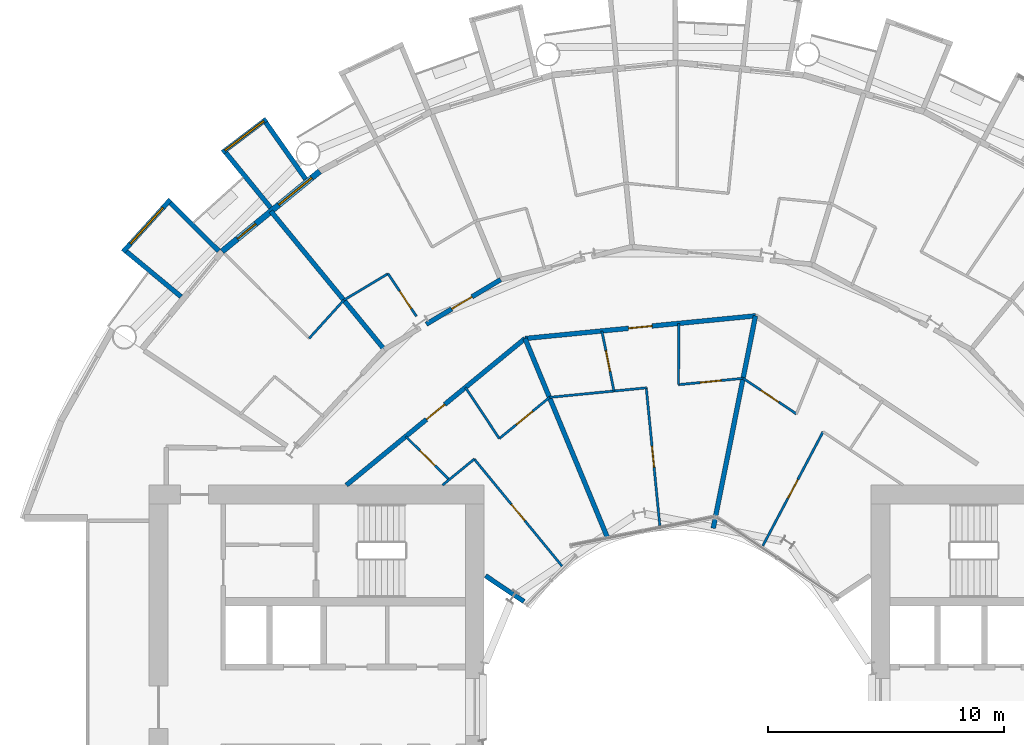
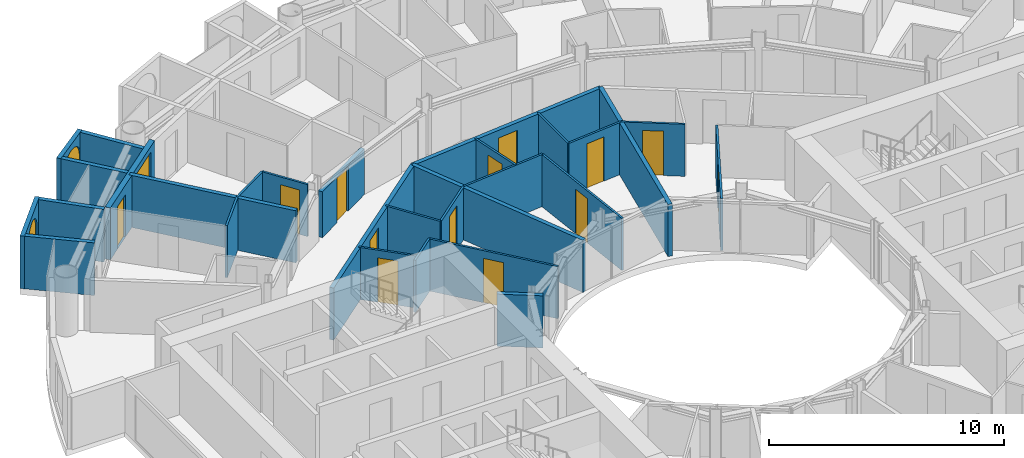
# One storey, part 19 of 26: 29 walls, 13 doors, 3 windows, 16 openings.
"""IFC4 building model written with IfcOpenShell, lengths in metres."""

from ifc_helpers import new_model, si_unit, direction, frame, frame_2d, origin, place, context, subcontext, project, spatial, rectangle, circle, extrude, material, layer, layer_set, type_object, element, fill, save


model = new_model("IFC4")

# Units and contexts
model_context = context("Model", 3, precision=1e-05, world=origin(), true_north=direction((0.0, 1.0)))
body_context = subcontext(model_context, "Body", "Model", "MODEL_VIEW")
ifc_project = project(units=[si_unit("LENGTHUNIT", "METRE"), si_unit("AREAUNIT", "SQUARE_METRE"), si_unit("VOLUMEUNIT", "CUBIC_METRE"), si_unit("PLANEANGLEUNIT", "RADIAN"), si_unit("MASSUNIT", "GRAM", prefix="KILO")], contexts=[model_context])

# Site, building, storey
site_placement = place(None, origin())
site = spatial("IfcSite", under=ifc_project, at=site_placement, CompositionType="ELEMENT")
building_placement = place(site_placement, origin())
building = spatial("IfcBuilding", under=site, at=building_placement, Name="Maasbend Ring Residences", CompositionType="ELEMENT")
storey_placement = place(building_placement, frame((0.0, 0.0, 25.85009765625)))
storey = spatial("IfcBuildingStorey", under=building, at=storey_placement, Name="L06", CompositionType="ELEMENT", Elevation=25.85009765625)

# Wall, opening, door
ifc_material_1 = material(Name="Concrete C30/37", Category="concrete")
ifc_layer_1 = layer(ifc_material_1, 0.199951171875)
ifc_layer_set_1 = layer_set([ifc_layer_1], Name="Concrete C30/37")
wall_type_1 = type_object("IfcWallType", Name="CORRIDOR WALL 200 CONCRETE", PredefinedType="PARTITIONING", material=ifc_layer_set_1)
wall_1_placement = place(storey_placement, frame((-14.0390625, 9.39990234375, 0.0), z_axis=(0.0, 0.0, 1.0), x_axis=(0.77298340166, 0.634426245326, 0.0)))
wall_1 = element("IfcWall", 1, at=wall_1_placement, inside=storey, type_object=wall_type_1, Name="U-L06-w107", PredefinedType="PARTITIONING", context=body_context, shape_type="SweptSolid", body=[
    extrude(rectangle(XDim=9.793212890625, YDim=0.199951171875, at=frame_2d((4.896484375, 0.0))), origin(), (0.0, 0.0, 1.0), 2.699951171875),
])
opening_1_placement = place(wall_1_placement, frame((4.388916015625, 0.0, 0.0)))
opening_1 = element("IfcOpeningElement", 2, at=opening_1_placement, cuts=wall_1, Name="Opening D-0629", PredefinedType="OPENING", context=body_context, shape_type="SweptSolid", body=[
    extrude(rectangle(XDim=1.0, YDim=2.300048828125, at=frame_2d((0.5, 1.14990234375))), frame((0.0, 0.10986328125, 0.0), z_axis=(0.0, -1.0, 0.0), x_axis=(1.0, 0.0, 0.0)), (0.0, 0.0, 1.0), 0.219970703125),
])
ifc_material_2 = material(Name="Timber, fire-rated, painted", Category="wood")
door_type_1 = type_object("IfcDoorType", Name="FLAT ENTRANCE DOOR 1000 X 2300 FIRE-RATED", OperationType="NOTDEFINED", PredefinedType="DOOR", material=ifc_material_2)
door_1_placement = place(opening_1_placement, origin())
door_1 = element("IfcDoor", 3, at=door_1_placement, inside=storey, type_object=door_type_1, Name="D-0629", OperationType="SINGLE_SWING_LEFT", OverallHeight=2.300048828125, OverallWidth=1.0, PredefinedType="DOOR", context=body_context, shape_type="SweptSolid", body=[
    extrude(rectangle(XDim=1.0, YDim=2.300048828125, at=frame_2d((0.5, 1.14990234375))), frame((0.0, 0.02490234375, 0.0), z_axis=(0.0, -1.0, 0.0), x_axis=(1.0, 0.0, 0.0)), (0.0, 0.0, 1.0), 0.050048828125),
])
fill(opening_1, door_1)

wall_2_placement = place(storey_placement, frame((-6.467041015625, 15.614013671875, 0.0), z_axis=(0.0, 0.0, 1.0), x_axis=(0.995201860711, 0.097843019361, 0.0)))
wall_2 = element("IfcWall", 4, at=wall_2_placement, inside=storey, type_object=wall_type_1, Name="U-L06-w108", PredefinedType="PARTITIONING", context=body_context, shape_type="SweptSolid", body=[
    extrude(rectangle(XDim=9.811279296875, YDim=0.199951171875, at=frame_2d((4.90576171875, 0.0))), origin(), (0.0, 0.0, 1.0), 2.699951171875),
])
opening_2_placement = place(wall_2_placement, frame((4.405029296875, 0.0, 0.0)))
opening_2 = element("IfcOpeningElement", 5, at=opening_2_placement, cuts=wall_2, Name="Opening D-0625", PredefinedType="OPENING", context=body_context, shape_type="SweptSolid", body=[
    extrude(rectangle(XDim=1.0, YDim=2.300048828125, at=frame_2d((0.5, 1.14990234375))), frame((0.0, 0.10986328125, 0.0), z_axis=(0.0, -1.0, 0.0), x_axis=(1.0, 0.0, 0.0)), (0.0, 0.0, 1.0), 0.219970703125),
])
door_2_placement = place(opening_2_placement, origin())
door_2 = element("IfcDoor", 6, at=door_2_placement, inside=storey, type_object=door_type_1, Name="D-0625", OperationType="SINGLE_SWING_LEFT", OverallHeight=2.300048828125, OverallWidth=1.0, PredefinedType="DOOR", context=body_context, shape_type="SweptSolid", body=[
    extrude(rectangle(XDim=1.0, YDim=2.300048828125, at=frame_2d((0.5, 1.14990234375))), frame((0.0, 0.02490234375, 0.0), z_axis=(0.0, -1.0, 0.0), x_axis=(1.0, 0.0, 0.0)), (0.0, 0.0, 1.0), 0.050048828125),
])
fill(opening_2, door_2)

wall_3_placement = place(storey_placement, frame((-10.653076171875, 16.218017578125, 0.0), z_axis=(0.0, 0.0, 1.0), x_axis=(0.857656999296, 0.514222200569, 0.0)))
wall_3 = element("IfcWall", 7, at=wall_3_placement, inside=storey, type_object=wall_type_1, Name="U-L06-w115", PredefinedType="PARTITIONING", context=body_context, shape_type="SweptSolid", body=[
    extrude(rectangle(XDim=3.67529296875, YDim=0.199951171875, at=frame_2d((1.837646484375, 0.0))), origin(), (0.0, 0.0, 1.0), 2.3798828125),
])
opening_3_placement = place(wall_3_placement, frame((1.257080078125, 0.0, 0.0)))
opening_3 = element("IfcOpeningElement", 8, at=opening_3_placement, cuts=wall_3, Name="Opening D-0615", PredefinedType="OPENING", context=body_context, shape_type="SweptSolid", body=[
    extrude(rectangle(XDim=1.0, YDim=2.300048828125, at=frame_2d((0.5, 1.14990234375))), frame((0.0, 0.10986328125, 0.0), z_axis=(0.0, -1.0, 0.0), x_axis=(1.0, 0.0, 0.0)), (0.0, 0.0, 1.0), 0.219970703125),
])
door_3_placement = place(opening_3_placement, origin())
door_3 = element("IfcDoor", 9, at=door_3_placement, inside=storey, type_object=door_type_1, Name="D-0615", OperationType="SINGLE_SWING_LEFT", OverallHeight=2.300048828125, OverallWidth=1.0, PredefinedType="DOOR", context=body_context, shape_type="SweptSolid", body=[
    extrude(rectangle(XDim=1.0, YDim=2.300048828125, at=frame_2d((0.5, 1.14990234375))), frame((0.0, 0.02490234375, 0.0), z_axis=(0.0, -1.0, 0.0), x_axis=(1.0, 0.0, 0.0)), (0.0, 0.0, 1.0), 0.050048828125),
])
fill(opening_3, door_3)

# Wall, opening, window
ifc_material_3 = material(Name="Pale anodised aluminium panel", Category="aluminium")
ifc_layer_2 = layer(ifc_material_3, 0.199951171875)
ifc_layer_set_2 = layer_set([ifc_layer_2], Name="EW-BOX")
wall_type_2 = type_object("IfcWallType", Name="EW-BOX", PredefinedType="SOLIDWALL", material=ifc_layer_set_2)
wall_4_placement = place(storey_placement, frame((-17.427001953125, 24.908935546875, -0.030029296875), z_axis=(0.0, 0.0, 1.0), x_axis=(-0.796842165306, -0.60418752353, 0.0)))
wall_4 = element("IfcWall", 10, at=wall_4_placement, inside=storey, type_object=wall_type_2, Name="Box front N17", PredefinedType="SOLIDWALL", context=body_context, shape_type="SweptSolid", body=[
    extrude(rectangle(XDim=2.3369140625, YDim=0.199951171875, at=frame_2d((1.16845703125, 0.0))), origin(), (0.0, 0.0, 1.0), 2.72998046875),
])
opening_4_placement = place(wall_4_placement, frame((0.128173828125, 0.0, 0.330078125)))
opening_4 = element("IfcOpeningElement", 11, at=opening_4_placement, cuts=wall_4, Name="Opening W-RD", PredefinedType="OPENING", context=body_context, shape_type="SweptSolid", body=[
    extrude(circle(Radius=1.0400390625, at=frame_2d((1.0400390625, 1.0400390625))), frame((0.0, 0.10986328125, 0.0), z_axis=(0.0, -1.0, 0.0), x_axis=(1.0, 0.0, 0.0)), (0.0, 0.0, 1.0), 0.219970703125),
])
ifc_material_4 = material(Name="Aluminium and clear glass", Category="aluminium")
window_type_1 = type_object("IfcWindowType", Name="W-RD", PartitioningType="SINGLE_PANEL", PredefinedType="WINDOW", material=ifc_material_4)
window_1_placement = place(opening_4_placement, origin())
window_1 = element("IfcWindow", 12, at=window_1_placement, inside=storey, type_object=window_type_1, Name="Round window N17", OverallHeight=2.080078125, OverallWidth=2.080078125, PartitioningType="SINGLE_PANEL", PredefinedType="WINDOW", context=body_context, shape_type="SweptSolid", body=[
    extrude(circle(Radius=1.0400390625, at=frame_2d((1.0400390625, 1.0400390625))), frame((0.0, 0.030029296875, 0.0), z_axis=(0.0, -1.0, 0.0), x_axis=(1.0, 0.0, 0.0)), (0.0, 0.0, 1.0), 0.06005859375),
])
fill(opening_4, window_1)

# Walls
wall_5_placement = place(storey_placement, frame((-15.764892578125, 22.3701171875, -0.030029296875), z_axis=(0.0, 0.0, 1.0), x_axis=(-0.576274612209, 0.817256123454, 0.0)))
element("IfcWall", 13, at=wall_5_placement, inside=storey, type_object=wall_type_2, Name="Box side wall N17 left", PredefinedType="SOLIDWALL", context=body_context, shape_type="SweptSolid", body=[
    extrude(rectangle(XDim=2.932861328125, YDim=0.199951171875, at=frame_2d((1.46630859375, 0.0))), origin(), (0.0, 0.0, 1.0), 2.72998046875),
])
wall_6_placement = place(storey_placement, frame((-17.24609375, 21.155029296875, -0.030029296875), z_axis=(0.0, 0.0, 1.0), x_axis=(-0.631741648902, 0.775179004516, 0.0)))
element("IfcWall", 14, at=wall_6_placement, inside=storey, type_object=wall_type_2, Name="Box side wall N17 right", PredefinedType="SOLIDWALL", context=body_context, shape_type="SweptSolid", body=[
    extrude(rectangle(XDim=3.005859375, YDim=0.199951171875, at=frame_2d((1.5029296875, 0.0))), origin(), (0.0, 0.0, 1.0), 2.72998046875),
])

# Wall, opening, window
wall_7_placement = place(storey_placement, frame((-21.492919921875, 21.5, -0.030029296875), z_axis=(0.0, 0.0, 1.0), x_axis=(-0.671506829416, -0.740998365753, 0.0)))
wall_7 = element("IfcWall", 15, at=wall_7_placement, inside=storey, type_object=wall_type_2, Name="Box front N19", PredefinedType="SOLIDWALL", context=body_context, shape_type="SweptSolid", body=[
    extrude(rectangle(XDim=2.9931640625, YDim=0.199951171875, at=frame_2d((1.49658203125, 0.0))), origin(), (0.0, 0.0, 1.0), 2.72998046875),
])
opening_5_placement = place(wall_7_placement, frame((0.45654296875, 0.0, 0.330078125)))
opening_5 = element("IfcOpeningElement", 16, at=opening_5_placement, cuts=wall_7, Name="Opening W-RD", PredefinedType="OPENING", context=body_context, shape_type="SweptSolid", body=[
    extrude(circle(Radius=1.0400390625, at=frame_2d((1.0400390625, 1.0400390625))), frame((0.0, 0.10986328125, 0.0), z_axis=(0.0, -1.0, 0.0), x_axis=(1.0, 0.0, 0.0)), (0.0, 0.0, 1.0), 0.219970703125),
])
window_2_placement = place(opening_5_placement, origin())
window_2 = element("IfcWindow", 17, at=window_2_placement, inside=storey, type_object=window_type_1, Name="Round window N19", OverallHeight=2.080078125, OverallWidth=2.080078125, PartitioningType="SINGLE_PANEL", PredefinedType="WINDOW", context=body_context, shape_type="SweptSolid", body=[
    extrude(circle(Radius=1.0400390625, at=frame_2d((1.0400390625, 1.0400390625))), frame((0.0, 0.030029296875, 0.0), z_axis=(0.0, -1.0, 0.0), x_axis=(1.0, 0.0, 0.0)), (0.0, 0.0, 1.0), 0.06005859375),
])
fill(opening_5, window_2)

# Walls
wall_8_placement = place(storey_placement, frame((-19.449951171875, 19.322998046875, -0.030029296875), z_axis=(0.0, 0.0, 1.0), x_axis=(-0.709727076896, 0.704476739375, 0.0)))
element("IfcWall", 18, at=wall_8_placement, inside=storey, type_object=wall_type_2, Name="Box side wall N19 left", PredefinedType="SOLIDWALL", context=body_context, shape_type="SweptSolid", body=[
    extrude(rectangle(XDim=2.883056640625, YDim=0.199951171875, at=frame_2d((1.44140625, 0.0))), origin(), (0.0, 0.0, 1.0), 2.72998046875),
])
wall_9_placement = place(storey_placement, frame((-21.041015625, 17.384033203125, -0.030029296875), z_axis=(0.0, 0.0, 1.0), x_axis=(-0.770784861449, 0.63709551667, 0.0)))
element("IfcWall", 19, at=wall_9_placement, inside=storey, type_object=wall_type_2, Name="Box side wall N19 right", PredefinedType="SOLIDWALL", context=body_context, shape_type="SweptSolid", body=[
    extrude(rectangle(XDim=3.005859375, YDim=0.199951171875, at=frame_2d((1.5029296875, 0.0))), origin(), (0.0, 0.0, 1.0), 2.72998046875),
])

# Wall, openings, door, window
ifc_material_5 = material(Name="Aluminium clad insulated panel", Category="aluminium")
ifc_layer_3 = layer(ifc_material_5, 0.25)
ifc_layer_set_3 = layer_set([ifc_layer_3], Name="EW-GL")
wall_type_3 = type_object("IfcWallType", Name="EW-GL", PredefinedType="SOLIDWALL", material=ifc_layer_set_3)
wall_10_placement = place(storey_placement, frame((-15.1669921875, 22.698974609375, 0.0), z_axis=(0.0, 0.0, 1.0), x_axis=(-0.773019449054, -0.634382322723, 0.0)))
wall_10 = element("IfcWall", 20, at=wall_10_placement, inside=storey, type_object=wall_type_3, Name="External wall N09", PredefinedType="SOLIDWALL", context=body_context, shape_type="SweptSolid", body=[
    extrude(rectangle(XDim=5.351806640625, YDim=0.25, at=frame_2d((2.67578125, 0.0))), origin(), (0.0, 0.0, 1.0), 2.699951171875),
])
opening_6_placement = place(wall_10_placement, frame((0.441162109375, 0.0, 0.300048828125)))
opening_6 = element("IfcOpeningElement", 21, at=opening_6_placement, cuts=wall_10, Name="Opening W-BX", PredefinedType="OPENING", context=body_context, shape_type="SweptSolid", body=[
    extrude(rectangle(XDim=1.800048828125, YDim=2.10009765625, at=frame_2d((0.89990234375, 1.050048828125))), frame((0.0, 0.135009765625, 0.0), z_axis=(0.0, -1.0, 0.0), x_axis=(1.0, 0.0, 0.0)), (0.0, 0.0, 1.0), 0.27001953125),
])
opening_7_placement = place(wall_10_placement, frame((3.510498046875, 0.0, 0.0)))
opening_7 = element("IfcOpeningElement", 22, at=opening_7_placement, cuts=wall_10, Name="Opening D-LG", PredefinedType="OPENING", context=body_context, shape_type="SweptSolid", body=[
    extrude(rectangle(XDim=1.0, YDim=2.199951171875, at=frame_2d((0.5, 1.10009765625))), frame((0.0, 0.135009765625, 0.0), z_axis=(0.0, -1.0, 0.0), x_axis=(1.0, 0.0, 0.0)), (0.0, 0.0, 1.0), 0.27001953125),
])
ifc_material_6 = material(Name="Aluminium and clear glass", Category="aluminium")
door_type_2 = type_object("IfcDoorType", Name="D-LG", OperationType="SINGLE_SWING_LEFT", PredefinedType="DOOR", material=ifc_material_6)
door_4_placement = place(opening_7_placement, origin())
door_4 = element("IfcDoor", 23, at=door_4_placement, inside=storey, type_object=door_type_2, Name="Loggia door N18", OperationType="SINGLE_SWING_LEFT", OverallHeight=2.199951171875, OverallWidth=1.0, PredefinedType="DOOR", context=body_context, shape_type="SweptSolid", body=[
    extrude(rectangle(XDim=1.0, YDim=2.199951171875, at=frame_2d((0.5, 1.10009765625))), frame((0.0, 0.02490234375, 0.0), z_axis=(0.0, -1.0, 0.0), x_axis=(1.0, 0.0, 0.0)), (0.0, 0.0, 1.0), 0.050048828125),
])
fill(opening_7, door_4)
ifc_material_7 = material(Name="Aluminium and clear glass", Category="aluminium")
window_type_2 = type_object("IfcWindowType", Name="W-BX", PartitioningType="DOUBLE_PANEL_VERTICAL", PredefinedType="WINDOW", material=ifc_material_7)
window_3_placement = place(opening_6_placement, origin())
window_3 = element("IfcWindow", 24, at=window_3_placement, inside=storey, type_object=window_type_2, Name="Window N17 room to box", OverallHeight=2.10009765625, OverallWidth=1.800048828125, PartitioningType="SINGLE_PANEL", PredefinedType="WINDOW", context=body_context, shape_type="SweptSolid", body=[
    extrude(rectangle(XDim=1.800048828125, YDim=2.10009765625, at=frame_2d((0.89990234375, 1.050048828125))), frame((0.0, 0.030029296875, 0.0), z_axis=(0.0, -1.0, 0.0), x_axis=(1.0, 0.0, 0.0)), (0.0, 0.0, 1.0), 0.06005859375),
])
fill(opening_6, window_3)

# Wall, opening, door
ifc_material_8 = material(Name="Gypsum board on steel studs", Category="steel")
ifc_layer_4 = layer(ifc_material_8, 0.10009765625)
ifc_layer_set_4 = layer_set([ifc_layer_4], Name="PARTITION 100 GYPSUM")
wall_type_4 = type_object("IfcWallType", Name="PARTITION 100 GYPSUM", PredefinedType="PARTITIONING", material=ifc_layer_set_4)
wall_11_placement = place(storey_placement, frame((-12.27587890625, 18.360107421875, 0.0), z_axis=(0.0, 0.0, 1.0), x_axis=(0.55563200073, -0.831428337119, 0.0)))
wall_11 = element("IfcWall", 25, at=wall_11_placement, inside=storey, type_object=wall_type_4, Name="U-L06-w044", PredefinedType="PARTITIONING", context=body_context, shape_type="SweptSolid", body=[
    extrude(rectangle(XDim=2.17578125, YDim=0.10009765625, at=frame_2d((1.087890625, 0.0))), origin(), (0.0, 0.0, 1.0), 2.699951171875),
])
opening_8_placement = place(wall_11_placement, frame((0.886962890625, 0.0, 0.0)))
opening_8 = element("IfcOpeningElement", 26, at=opening_8_placement, cuts=wall_11, Name="Opening D-0616", PredefinedType="OPENING", context=body_context, shape_type="SweptSolid", body=[
    extrude(rectangle(XDim=0.89990234375, YDim=2.300048828125, at=frame_2d((0.449951171875, 1.14990234375))), frame((0.0, 0.06005859375, 0.0), z_axis=(0.0, -1.0, 0.0), x_axis=(1.0, 0.0, 0.0)), (0.0, 0.0, 1.0), 0.1201171875),
])
ifc_material_9 = material(Name="Timber, painted", Category="wood")
door_type_3 = type_object("IfcDoorType", Name="INTERNAL DOOR 900 X 2300", OperationType="NOTDEFINED", PredefinedType="DOOR", material=ifc_material_9)
door_5_placement = place(opening_8_placement, origin())
door_5 = element("IfcDoor", 27, at=door_5_placement, inside=storey, type_object=door_type_3, Name="D-0616", OperationType="SINGLE_SWING_RIGHT", OverallHeight=2.300048828125, OverallWidth=0.89990234375, PredefinedType="DOOR", context=body_context, shape_type="SweptSolid", body=[
    extrude(rectangle(XDim=0.89990234375, YDim=2.300048828125, at=frame_2d((0.449951171875, 1.14990234375))), frame((0.0, 0.02490234375, 0.0), z_axis=(0.0, -1.0, 0.0), x_axis=(1.0, 0.0, 0.0)), (0.0, 0.0, 1.0), 0.050048828125),
])
fill(opening_8, door_5)

wall_12_placement = place(storey_placement, frame((-11.52392578125, 11.464111328125, 0.0), z_axis=(0.0, 0.0, 1.0), x_axis=(0.708796844581, -0.705412668665, 0.0)))
wall_12 = element("IfcWall", 28, at=wall_12_placement, inside=storey, type_object=wall_type_4, Name="U-L06-w046", PredefinedType="PARTITIONING", context=body_context, shape_type="SweptSolid", body=[
    extrude(rectangle(XDim=2.59716796875, YDim=0.10009765625, at=frame_2d((1.298583984375, 0.0))), origin(), (0.0, 0.0, 1.0), 2.699951171875),
])
opening_9_placement = place(wall_12_placement, frame((0.84912109375, 0.0, 0.0)))
opening_9 = element("IfcOpeningElement", 29, at=opening_9_placement, cuts=wall_12, Name="Opening D-0631", PredefinedType="OPENING", context=body_context, shape_type="SweptSolid", body=[
    extrude(rectangle(XDim=0.89990234375, YDim=2.300048828125, at=frame_2d((0.449951171875, 1.14990234375))), frame((0.0, 0.06005859375, 0.0), z_axis=(0.0, -1.0, 0.0), x_axis=(1.0, 0.0, 0.0)), (0.0, 0.0, 1.0), 0.1201171875),
])
door_6_placement = place(opening_9_placement, origin())
door_6 = element("IfcDoor", 30, at=door_6_placement, inside=storey, type_object=door_type_3, Name="D-0631", OperationType="SINGLE_SWING_RIGHT", OverallHeight=2.300048828125, OverallWidth=0.89990234375, PredefinedType="DOOR", context=body_context, shape_type="SweptSolid", body=[
    extrude(rectangle(XDim=0.89990234375, YDim=2.300048828125, at=frame_2d((0.449951171875, 1.14990234375))), frame((0.0, 0.02490234375, 0.0), z_axis=(0.0, -1.0, 0.0), x_axis=(1.0, 0.0, 0.0)), (0.0, 0.0, 1.0), 0.050048828125),
])
fill(opening_9, door_6)

# Wall
wall_13_placement = place(storey_placement, frame((-8.99609375, 13.5390625, 0.0), z_axis=(0.0, 0.0, 1.0), x_axis=(0.553615197403, -0.83277260594, 0.0)))
element("IfcWall", 31, at=wall_13_placement, inside=storey, type_object=wall_type_4, Name="U-L06-w050", PredefinedType="PARTITIONING", context=body_context, shape_type="SweptSolid", body=[
    extrude(rectangle(XDim=2.597412109375, YDim=0.10009765625, at=frame_2d((1.298828125, 0.0))), origin(), (0.0, 0.0, 1.0), 2.699951171875),
])

# Wall, opening, door
wall_14_placement = place(storey_placement, frame((-8.6201171875, 10.50390625, 0.0), z_axis=(0.0, 0.0, 1.0), x_axis=(0.634358693064, -0.773038840249, 0.0)))
wall_14 = element("IfcWall", 32, at=wall_14_placement, inside=storey, type_object=wall_type_4, Name="U-L06-w052", PredefinedType="PARTITIONING", context=body_context, shape_type="SweptSolid", body=[
    extrude(rectangle(XDim=5.86767578125, YDim=0.10009765625, at=frame_2d((2.933837890625, 0.0))), origin(), (0.0, 0.0, 1.0), 2.699951171875),
])
opening_10_placement = place(wall_14_placement, frame((2.48388671875, 0.0, 0.0)))
opening_10 = element("IfcOpeningElement", 33, at=opening_10_placement, cuts=wall_14, Name="Opening D-0632", PredefinedType="OPENING", context=body_context, shape_type="SweptSolid", body=[
    extrude(rectangle(XDim=0.89990234375, YDim=2.300048828125, at=frame_2d((0.449951171875, 1.14990234375))), frame((0.0, 0.06005859375, 0.0), z_axis=(0.0, -1.0, 0.0), x_axis=(1.0, 0.0, 0.0)), (0.0, 0.0, 1.0), 0.1201171875),
])
door_7_placement = place(opening_10_placement, origin())
door_7 = element("IfcDoor", 34, at=door_7_placement, inside=storey, type_object=door_type_3, Name="D-0632", OperationType="SINGLE_SWING_RIGHT", OverallHeight=2.300048828125, OverallWidth=0.89990234375, PredefinedType="DOOR", context=body_context, shape_type="SweptSolid", body=[
    extrude(rectangle(XDim=0.89990234375, YDim=2.300048828125, at=frame_2d((0.449951171875, 1.14990234375))), frame((0.0, 0.02490234375, 0.0), z_axis=(0.0, -1.0, 0.0), x_axis=(1.0, 0.0, 0.0)), (0.0, 0.0, 1.0), 0.050048828125),
])
fill(opening_10, door_7)

wall_15_placement = place(storey_placement, frame((-3.212890625, 15.93408203125, 0.0), z_axis=(0.0, 0.0, 1.0), x_axis=(0.197851046463, -0.980232096706, 0.0)))
wall_15 = element("IfcWall", 35, at=wall_15_placement, inside=storey, type_object=wall_type_4, Name="U-L06-w059", PredefinedType="PARTITIONING", context=body_context, shape_type="SweptSolid", body=[
    extrude(rectangle(XDim=2.597412109375, YDim=0.10009765625, at=frame_2d((1.298828125, 0.0))), origin(), (0.0, 0.0, 1.0), 2.699951171875),
])
opening_11_placement = place(wall_15_placement, frame((0.84912109375, 0.0, 0.0)))
opening_11 = element("IfcOpeningElement", 36, at=opening_11_placement, cuts=wall_15, Name="Opening D-0627", PredefinedType="OPENING", context=body_context, shape_type="SweptSolid", body=[
    extrude(rectangle(XDim=0.89990234375, YDim=2.300048828125, at=frame_2d((0.449951171875, 1.14990234375))), frame((0.0, 0.06005859375, 0.0), z_axis=(0.0, -1.0, 0.0), x_axis=(1.0, 0.0, 0.0)), (0.0, 0.0, 1.0), 0.1201171875),
])
door_8_placement = place(opening_11_placement, origin())
door_8 = element("IfcDoor", 37, at=door_8_placement, inside=storey, type_object=door_type_3, Name="D-0627", OperationType="SINGLE_SWING_RIGHT", OverallHeight=2.300048828125, OverallWidth=0.89990234375, PredefinedType="DOOR", context=body_context, shape_type="SweptSolid", body=[
    extrude(rectangle(XDim=0.89990234375, YDim=2.300048828125, at=frame_2d((0.449951171875, 1.14990234375))), frame((0.0, 0.02490234375, 0.0), z_axis=(0.0, -1.0, 0.0), x_axis=(1.0, 0.0, 0.0)), (0.0, 0.0, 1.0), 0.050048828125),
])
fill(opening_11, door_8)

wall_16_placement = place(storey_placement, frame((-1.33203125, 13.52294921875, 0.0), z_axis=(0.0, 0.0, 1.0), x_axis=(0.097979463572, -0.995188436789, 0.0)))
wall_16 = element("IfcWall", 38, at=wall_16_placement, inside=storey, type_object=wall_type_4, Name="U-L06-w063", PredefinedType="PARTITIONING", context=body_context, shape_type="SweptSolid", body=[
    extrude(rectangle(XDim=5.8681640625, YDim=0.10009765625, at=frame_2d((2.93408203125, 0.0))), origin(), (0.0, 0.0, 1.0), 2.699951171875),
])
opening_12_placement = place(wall_16_placement, frame((2.48388671875, 0.0, 0.0)))
opening_12 = element("IfcOpeningElement", 39, at=opening_12_placement, cuts=wall_16, Name="Opening D-0628", PredefinedType="OPENING", context=body_context, shape_type="SweptSolid", body=[
    extrude(rectangle(XDim=0.89990234375, YDim=2.300048828125, at=frame_2d((0.449951171875, 1.14990234375))), frame((0.0, 0.06005859375, 0.0), z_axis=(0.0, -1.0, 0.0), x_axis=(1.0, 0.0, 0.0)), (0.0, 0.0, 1.0), 0.1201171875),
])
door_9_placement = place(opening_12_placement, origin())
door_9 = element("IfcDoor", 40, at=door_9_placement, inside=storey, type_object=door_type_3, Name="D-0628", OperationType="SINGLE_SWING_RIGHT", OverallHeight=2.300048828125, OverallWidth=0.89990234375, PredefinedType="DOOR", context=body_context, shape_type="SweptSolid", body=[
    extrude(rectangle(XDim=0.89990234375, YDim=2.300048828125, at=frame_2d((0.449951171875, 1.14990234375))), frame((0.0, 0.02490234375, 0.0), z_axis=(0.0, -1.0, 0.0), x_axis=(1.0, 0.0, 0.0)), (0.0, 0.0, 1.0), 0.050048828125),
])
fill(opening_12, door_9)

# Wall
wall_17_placement = place(storey_placement, frame((0.034912109375, 13.657958984375, 0.0), z_axis=(0.0, 0.0, 1.0), x_axis=(0.00272632248, 0.999996283576, 0.0)))
element("IfcWall", 41, at=wall_17_placement, inside=storey, type_object=wall_type_4, Name="U-L06-w066", PredefinedType="PARTITIONING", context=body_context, shape_type="SweptSolid", body=[
    extrude(rectangle(XDim=2.596923828125, YDim=0.10009765625, at=frame_2d((1.29833984375, 0.0))), origin(), (0.0, 0.0, 1.0), 2.699951171875),
])

# Wall, opening, door
wall_18_placement = place(storey_placement, frame((3.60498046875, 6.826904296875, 0.0), z_axis=(0.0, 0.0, 1.0), x_axis=(0.466976820365, 0.884269556889, 0.0)))
wall_18 = element("IfcWall", 42, at=wall_18_placement, inside=storey, type_object=wall_type_4, Name="U-L06-w074", PredefinedType="PARTITIONING", context=body_context, shape_type="SweptSolid", body=[
    extrude(rectangle(XDim=5.46923828125, YDim=0.10009765625, at=frame_2d((2.734619140625, 0.0))), origin(), (0.0, 0.0, 1.0), 2.699951171875),
])
opening_13_placement = place(wall_18_placement, frame((2.283935546875, 0.0, 0.0)))
opening_13 = element("IfcOpeningElement", 43, at=opening_13_placement, cuts=wall_18, Name="Opening D-0624", PredefinedType="OPENING", context=body_context, shape_type="SweptSolid", body=[
    extrude(rectangle(XDim=0.89990234375, YDim=2.300048828125, at=frame_2d((0.449951171875, 1.14990234375))), frame((0.0, 0.06005859375, 0.0), z_axis=(0.0, -1.0, 0.0), x_axis=(1.0, 0.0, 0.0)), (0.0, 0.0, 1.0), 0.1201171875),
])
door_10_placement = place(opening_13_placement, origin())
door_10 = element("IfcDoor", 44, at=door_10_placement, inside=storey, type_object=door_type_3, Name="D-0624", OperationType="SINGLE_SWING_RIGHT", OverallHeight=2.300048828125, OverallWidth=0.89990234375, PredefinedType="DOOR", context=body_context, shape_type="SweptSolid", body=[
    extrude(rectangle(XDim=0.89990234375, YDim=2.300048828125, at=frame_2d((0.449951171875, 1.14990234375))), frame((0.0, 0.02490234375, 0.0), z_axis=(0.0, -1.0, 0.0), x_axis=(1.0, 0.0, 0.0)), (0.0, 0.0, 1.0), 0.050048828125),
])
fill(opening_13, door_10)

wall_19_placement = place(storey_placement, frame((2.77099609375, 13.926025390625, 0.0), z_axis=(0.0, 0.0, 1.0), x_axis=(0.831538390496, -0.555467285384, 0.0)))
wall_19 = element("IfcWall", 45, at=wall_19_placement, inside=storey, type_object=wall_type_4, Name="U-L06-w100", PredefinedType="PARTITIONING", context=body_context, shape_type="SweptSolid", body=[
    extrude(rectangle(XDim=2.716796875, YDim=0.10009765625, at=frame_2d((1.3583984375, 0.0))), origin(), (0.0, 0.0, 1.0), 2.699951171875),
])
opening_14_placement = place(wall_19_placement, frame((0.906982421875, 0.0, 0.0)))
opening_14 = element("IfcOpeningElement", 46, at=opening_14_placement, cuts=wall_19, Name="Opening D-0622", PredefinedType="OPENING", context=body_context, shape_type="SweptSolid", body=[
    extrude(rectangle(XDim=0.89990234375, YDim=2.300048828125, at=frame_2d((0.449951171875, 1.14990234375))), frame((0.0, 0.06005859375, 0.0), z_axis=(0.0, -1.0, 0.0), x_axis=(1.0, 0.0, 0.0)), (0.0, 0.0, 1.0), 0.1201171875),
])
door_11_placement = place(opening_14_placement, origin())
door_11 = element("IfcDoor", 47, at=door_11_placement, inside=storey, type_object=door_type_3, Name="D-0622", OperationType="SINGLE_SWING_LEFT", OverallHeight=2.300048828125, OverallWidth=0.89990234375, PredefinedType="DOOR", context=body_context, shape_type="SweptSolid", body=[
    extrude(rectangle(XDim=0.89990234375, YDim=2.300048828125, at=frame_2d((0.449951171875, 1.14990234375))), frame((0.0, 0.02490234375, 0.0), z_axis=(0.0, -1.0, 0.0), x_axis=(1.0, 0.0, 0.0)), (0.0, 0.0, 1.0), 0.050048828125),
])
fill(opening_14, door_11)

# Wall
wall_20_placement = place(storey_placement, frame((-9.965087890625, 9.39990234375, 0.0), z_axis=(0.0, 0.0, 1.0), x_axis=(0.773141825369, 0.634233173104, 0.0)))
element("IfcWall", 48, at=wall_20_placement, inside=storey, type_object=wall_type_4, Name="U-L06-w102", PredefinedType="PARTITIONING", context=body_context, shape_type="SweptSolid", body=[
    extrude(rectangle(XDim=1.748779296875, YDim=0.10009765625, at=frame_2d((0.87451171875, 0.0))), origin(), (0.0, 0.0, 1.0), 2.699951171875),
])

# Wall, opening, door
wall_21_placement = place(storey_placement, frame((-7.552001953125, 11.37890625, 0.0), z_axis=(0.0, 0.0, 1.0), x_axis=(0.773323547924, 0.634011585246, 0.0)))
wall_21 = element("IfcWall", 49, at=wall_21_placement, inside=storey, type_object=wall_type_4, Name="U-L06-w103", PredefinedType="PARTITIONING", context=body_context, shape_type="SweptSolid", body=[
    extrude(rectangle(XDim=2.747802734375, YDim=0.10009765625, at=frame_2d((1.3740234375, 0.0))), origin(), (0.0, 0.0, 1.0), 2.699951171875),
])
opening_15_placement = place(wall_21_placement, frame((0.9169921875, 0.0, 0.0)))
opening_15 = element("IfcOpeningElement", 50, at=opening_15_placement, cuts=wall_21, Name="Opening D-0630", PredefinedType="OPENING", context=body_context, shape_type="SweptSolid", body=[
    extrude(rectangle(XDim=0.89990234375, YDim=2.300048828125, at=frame_2d((0.449951171875, 1.14990234375))), frame((0.0, 0.06005859375, 0.0), z_axis=(0.0, -1.0, 0.0), x_axis=(1.0, 0.0, 0.0)), (0.0, 0.0, 1.0), 0.1201171875),
])
door_12_placement = place(opening_15_placement, origin())
door_12 = element("IfcDoor", 51, at=door_12_placement, inside=storey, type_object=door_type_3, Name="D-0630", OperationType="SINGLE_SWING_LEFT", OverallHeight=2.300048828125, OverallWidth=0.89990234375, PredefinedType="DOOR", context=body_context, shape_type="SweptSolid", body=[
    extrude(rectangle(XDim=0.89990234375, YDim=2.300048828125, at=frame_2d((0.449951171875, 1.14990234375))), frame((0.0, 0.02490234375, 0.0), z_axis=(0.0, -1.0, 0.0), x_axis=(1.0, 0.0, 0.0)), (0.0, 0.0, 1.0), 0.050048828125),
])
fill(opening_15, door_12)

# Wall
wall_22_placement = place(storey_placement, frame((-5.43408203125, 13.118896484375, 0.0), z_axis=(0.0, 0.0, 1.0), x_axis=(0.995195804672, 0.097904598272, 0.0)))
element("IfcWall", 52, at=wall_22_placement, inside=storey, type_object=wall_type_4, Name="U-L06-w104", PredefinedType="PARTITIONING", context=body_context, shape_type="SweptSolid", body=[
    extrude(rectangle(XDim=4.126953125, YDim=0.10009765625, at=frame_2d((2.0634765625, 0.0))), origin(), (0.0, 0.0, 1.0), 2.699951171875),
])

# Wall, opening, door
wall_23_placement = place(storey_placement, frame((0.034912109375, 13.656982421875, 0.0), z_axis=(0.0, 0.0, 1.0), x_axis=(0.995196843386, 0.097894039223, 0.0)))
wall_23 = element("IfcWall", 53, at=wall_23_placement, inside=storey, type_object=wall_type_4, Name="U-L06-w105", PredefinedType="PARTITIONING", context=body_context, shape_type="SweptSolid", body=[
    extrude(rectangle(XDim=2.748291015625, YDim=0.10009765625, at=frame_2d((1.3740234375, 0.0))), origin(), (0.0, 0.0, 1.0), 2.699951171875),
])
opening_16_placement = place(wall_23_placement, frame((0.924072265625, 0.0, 0.0)))
opening_16 = element("IfcOpeningElement", 54, at=opening_16_placement, cuts=wall_23, Name="Opening D-0626", PredefinedType="OPENING", context=body_context, shape_type="SweptSolid", body=[
    extrude(rectangle(XDim=0.89990234375, YDim=2.300048828125, at=frame_2d((0.449951171875, 1.14990234375))), frame((0.0, 0.06005859375, 0.0), z_axis=(0.0, -1.0, 0.0), x_axis=(1.0, 0.0, 0.0)), (0.0, 0.0, 1.0), 0.1201171875),
])
door_13_placement = place(opening_16_placement, origin())
door_13 = element("IfcDoor", 55, at=door_13_placement, inside=storey, type_object=door_type_3, Name="D-0626", OperationType="SINGLE_SWING_RIGHT", OverallHeight=2.300048828125, OverallWidth=0.89990234375, PredefinedType="DOOR", context=body_context, shape_type="SweptSolid", body=[
    extrude(rectangle(XDim=0.89990234375, YDim=2.300048828125, at=frame_2d((0.449951171875, 1.14990234375))), frame((0.0, 0.02490234375, 0.0), z_axis=(0.0, -1.0, 0.0), x_axis=(1.0, 0.0, 0.0)), (0.0, 0.0, 1.0), 0.050048828125),
])
fill(opening_16, door_13)

# Walls
wall_24_placement = place(storey_placement, frame((-15.612060546875, 15.6220703125, 0.0), z_axis=(0.0, 0.0, 1.0), x_axis=(0.671674967707, 0.740845960882, 0.0)))
element("IfcWall", 56, at=wall_24_placement, inside=storey, type_object=wall_type_4, Name="U-L06-w126", PredefinedType="PARTITIONING", context=body_context, shape_type="SweptSolid", body=[
    extrude(rectangle(XDim=2.18115234375, YDim=0.10009765625, at=frame_2d((1.090576171875, 0.0))), origin(), (0.0, 0.0, 1.0), 2.699951171875),
])
wall_25_placement = place(storey_placement, frame((-14.14697265625, 17.237060546875, 0.0), z_axis=(0.0, 0.0, 1.0), x_axis=(0.857660741648, 0.514215958752, 0.0)))
element("IfcWall", 57, at=wall_25_placement, inside=storey, type_object=wall_type_4, Name="U-L06-w127", PredefinedType="PARTITIONING", context=body_context, shape_type="SweptSolid", body=[
    extrude(rectangle(XDim=2.181640625, YDim=0.10009765625, at=frame_2d((1.0908203125, 0.0))), origin(), (0.0, 0.0, 1.0), 2.699951171875),
])
ifc_material_10 = material(Name="Concrete C30/37", Category="concrete")
ifc_layer_5 = layer(ifc_material_10, 0.199951171875)
ifc_layer_set_5 = layer_set([ifc_layer_5], Name="Concrete C30/37")
wall_type_5 = type_object("IfcWallType", Name="PARTY WALL 200 CONCRETE", PredefinedType="PARTITIONING", material=ifc_layer_set_5)
wall_26_placement = place(storey_placement, frame((-17.239013671875, 21.008056640625, 0.0), z_axis=(0.0, 0.0, 1.0), x_axis=(0.634318093068, -0.773072154981, 0.0)))
element("IfcWall", 58, at=wall_26_placement, inside=storey, type_object=wall_type_5, Name="U-L06-w037", PredefinedType="PARTITIONING", context=body_context, shape_type="SweptSolid", body=[
    extrude(rectangle(XDim=7.576416015625, YDim=0.199951171875, at=frame_2d((3.7880859375, 0.0))), origin(), (0.0, 0.0, 1.0), 2.699951171875),
])
wall_27_placement = place(storey_placement, frame((-6.468017578125, 15.614013671875, 0.0), z_axis=(0.0, 0.0, 1.0), x_axis=(0.382518543471, -0.92394781449, 0.0)))
element("IfcWall", 59, at=wall_27_placement, inside=storey, type_object=wall_type_5, Name="U-L06-w053", PredefinedType="PARTITIONING", context=body_context, shape_type="SweptSolid", body=[
    extrude(rectangle(XDim=9.18115234375, YDim=0.199951171875, at=frame_2d((4.590576171875, 0.0))), origin(), (0.0, 0.0, 1.0), 2.699951171875),
])
wall_28_placement = place(storey_placement, frame((1.506103515625, 7.572021484375, 0.0), z_axis=(0.0, 0.0, 1.0), x_axis=(0.19511354088, 0.980780661598, 0.0)))
element("IfcWall", 60, at=wall_28_placement, inside=storey, type_object=wall_type_5, Name="U-L06-w069", PredefinedType="PARTITIONING", context=body_context, shape_type="SweptSolid", body=[
    extrude(rectangle(XDim=9.179443359375, YDim=0.199951171875, at=frame_2d((4.58984375, 0.0))), origin(), (0.0, 0.0, 1.0), 2.699951171875),
])
wall_29_placement = place(storey_placement, frame((-6.512939453125, 4.471923828125, 0.0), z_axis=(0.0, 0.0, 1.0), x_axis=(-0.831417956244, 0.555647533996, 0.0)))
element("IfcWall", 61, at=wall_29_placement, inside=storey, type_object=wall_type_5, Name="U-L06-w096", PredefinedType="PARTITIONING", context=body_context, shape_type="SweptSolid", body=[
    extrude(rectangle(XDim=1.9619140625, YDim=0.199951171875, at=frame_2d((0.98095703125, 0.0))), origin(), (0.0, 0.0, 1.0), 2.699951171875),
])

save(model, "model.ifc")
